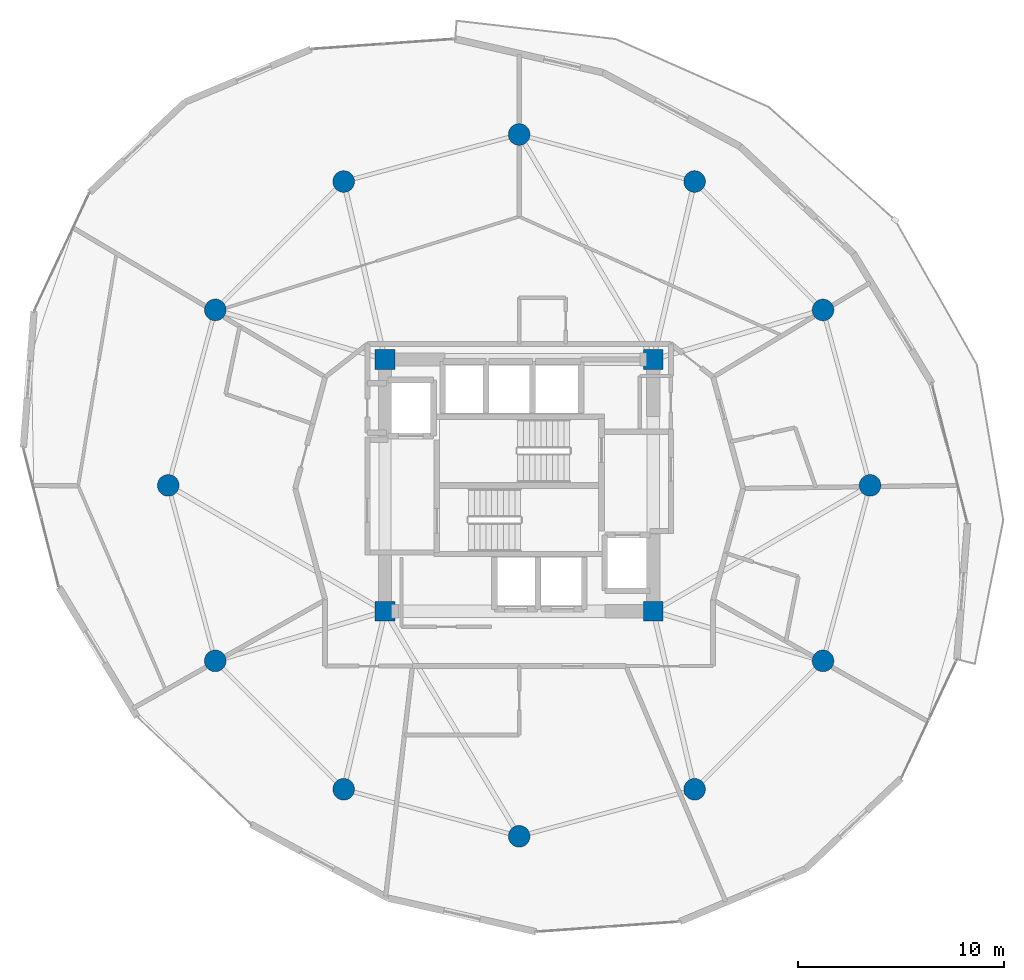
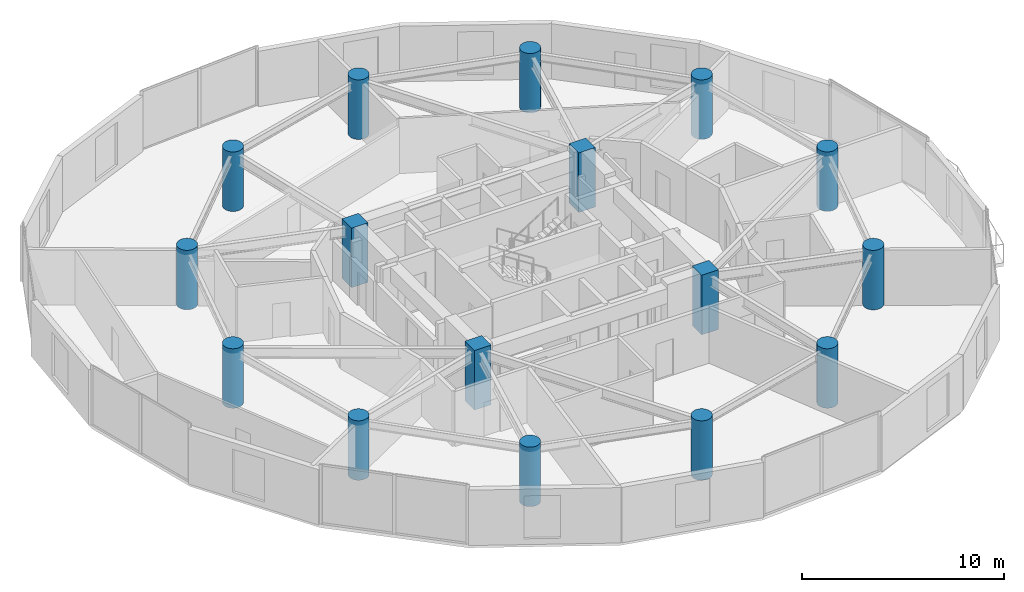
# One storey, part 1 of 25: 16 columns.
"""IFC4 building model written with IfcOpenShell, lengths in metres."""

from ifc_helpers import new_model, si_unit, direction, frame, origin, origin_2d, place, context, subcontext, project, spatial, rectangle, circle, extrude, material, material_profile, profile_set, type_object, element, save


model = new_model("IFC4")

# Units and contexts
model_context = context("Model", 3, precision=1e-05, world=origin(), true_north=direction((0.0, 1.0)))
body_context = subcontext(model_context, "Body", "Model", "MODEL_VIEW")
ifc_project = project(units=[si_unit("LENGTHUNIT", "METRE"), si_unit("AREAUNIT", "SQUARE_METRE"), si_unit("VOLUMEUNIT", "CUBIC_METRE"), si_unit("PLANEANGLEUNIT", "RADIAN"), si_unit("MASSUNIT", "GRAM", prefix="KILO")], contexts=[model_context])

# Site, building, storey
site_placement = place(None, origin())
site = spatial("IfcSite", under=ifc_project, at=site_placement, CompositionType="ELEMENT")
building_placement = place(site_placement, origin())
building = spatial("IfcBuilding", under=site, at=building_placement, Name="Solvirekh Grand Hotel", CompositionType="ELEMENT")
storey_placement = place(building_placement, frame((0.0, 0.0, 120.60009765625)))
storey = spatial("IfcBuildingStorey", under=building, at=storey_placement, Name="L30", CompositionType="ELEMENT", Elevation=120.60009765625)

# Columns
ifc_material = material(Name="Concrete C50/60", Category="concrete")
ifc_material_profile_1 = material_profile(ifc_material, rectangle(XDim=0.949951171875, YDim=0.949951171875, at=origin_2d()), Name="RC 950X950")
ifc_profile_set_1 = profile_set([ifc_material_profile_1], Name="Concrete C50/60")
column_type_1 = type_object("IfcColumnType", Name="Col_Core_950", PredefinedType="COLUMN", material=ifc_profile_set_1)
for number, where, z_axis, x_axis, name in (
    (1, (-6.5, -6.10009765625, 0.0), (0.0, 0.0, 1.0), (1.0, 0.0, 0.0), "L30 core corner column CC1"),
    (2, (6.5, -6.10009765625, 0.0), (0.0, 0.0, 1.0), (1.0, 0.0, 0.0), "L30 core corner column CC2"),
    (3, (6.5, 6.10009765625, 0.0), (0.0, 0.0, 1.0), (1.0, 0.0, 0.0), "L30 core corner column CC3"),
    (4, (-6.5, 6.10009765625, 0.0), (0.0, 0.0, 1.0), (1.0, 0.0, 0.0), "L30 core corner column CC4"),
):
    element("IfcColumn", number, at=place(storey_placement, frame(where, z_axis=z_axis, x_axis=x_axis)), inside=storey, type_object=column_type_1, Name=name, PredefinedType="COLUMN", context=body_context, shape_type="SweptSolid", body=[
        extrude(rectangle(XDim=0.949951171875, YDim=0.949951171875, at=origin_2d()), origin(), (0.0, 0.0, 1.0), 3.599853515625),
    ])
ifc_material_profile_2 = material_profile(ifc_material, circle(Radius=0.52490234375, at=origin_2d()), Name="RC CIRC D1050")
ifc_profile_set_2 = profile_set([ifc_material_profile_2], Name="Concrete C50/60")
column_type_2 = type_object("IfcColumnType", Name="Col_Z2_D1050", PredefinedType="COLUMN", material=ifc_profile_set_2)
for number, where, z_axis, x_axis, name in (
    (5, (17.0, 0.0, 0.0), (0.0, 0.0, 1.0), (1.0, 0.0, 0.0), "L30 perimeter column P01"),
    (6, (14.721923828125, 8.5, 0.0), (0.0, 0.0, 1.0), (1.0, 0.0, 0.0), "L30 perimeter column P02"),
    (7, (8.5, 14.721923828125, 0.0), (0.0, 0.0, 1.0), (1.0, 0.0, 0.0), "L30 perimeter column P03"),
    (8, (0.0, 17.0, 0.0), (0.0, 0.0, 1.0), (1.0, 0.0, 0.0), "L30 perimeter column P04"),
    (9, (-8.5, 14.721923828125, 0.0), (0.0, 0.0, 1.0), (1.0, 0.0, 0.0), "L30 perimeter column P05"),
    (10, (-14.721923828125, 8.5, 0.0), (0.0, 0.0, 1.0), (1.0, 0.0, 0.0), "L30 perimeter column P06"),
    (11, (-17.0, 0.0, 0.0), (0.0, 0.0, 1.0), (1.0, 0.0, 0.0), "L30 perimeter column P07"),
    (12, (-14.721923828125, -8.5, 0.0), (0.0, 0.0, 1.0), (1.0, 0.0, 0.0), "L30 perimeter column P08"),
    (13, (-8.5, -14.721923828125, 0.0), (0.0, 0.0, 1.0), (1.0, 0.0, 0.0), "L30 perimeter column P09"),
    (14, (0.0, -17.0, 0.0), (0.0, 0.0, 1.0), (1.0, 0.0, 0.0), "L30 perimeter column P10"),
    (15, (8.5, -14.721923828125, 0.0), (0.0, 0.0, 1.0), (1.0, 0.0, 0.0), "L30 perimeter column P11"),
    (16, (14.721923828125, -8.5, 0.0), (0.0, 0.0, 1.0), (1.0, 0.0, 0.0), "L30 perimeter column P12"),
):
    element("IfcColumn", number, at=place(storey_placement, frame(where, z_axis=z_axis, x_axis=x_axis)), inside=storey, type_object=column_type_2, Name=name, PredefinedType="COLUMN", context=body_context, shape_type="SweptSolid", body=[
        extrude(circle(Radius=0.52490234375, at=origin_2d()), origin(), (0.0, 0.0, 1.0), 3.599853515625),
    ])

save(model, "model.ifc")
